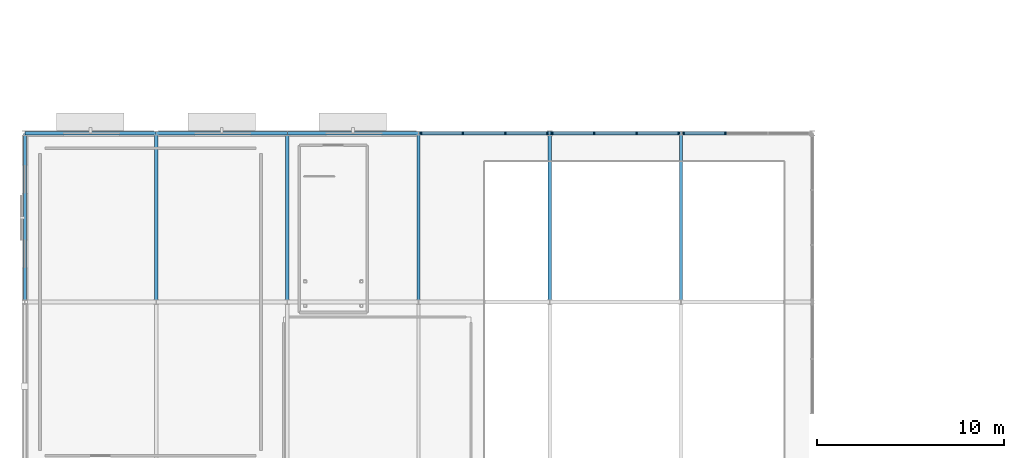
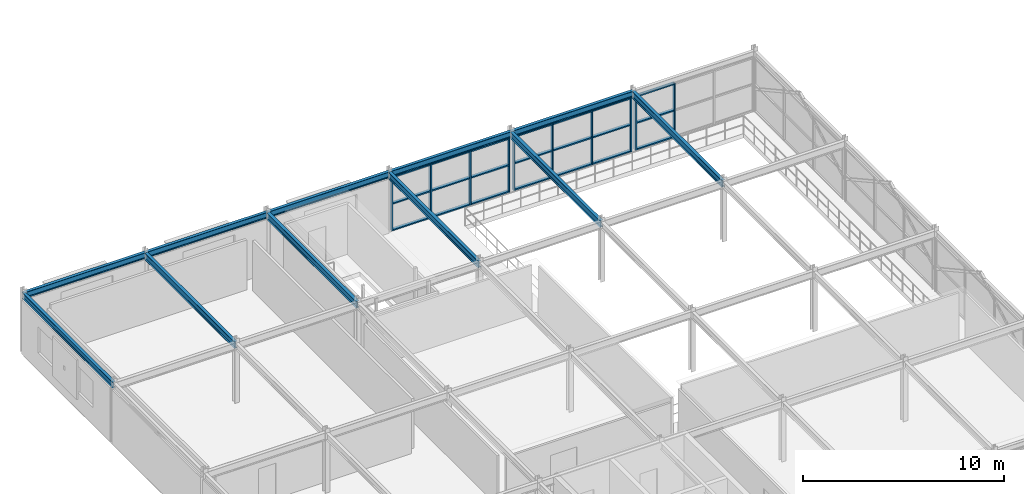
# One storey, part 51 of 98: 31 members, 11 beams, 3 elements without a shape of their own.
"""IFC4 building model written with IfcOpenShell, lengths in metres."""

from ifc_helpers import new_model, si_unit, derived_unit, direction, frame, origin, origin_2d_with_axis, place, context, subcontext, project, spatial, rectangle, i_section, extrude, material, material_profile, profile_set, type_object, element, aggregate, save


model = new_model("IFC4")

# Units and contexts
model_context = context("Model", 3, precision=1e-05, world=origin(), true_north=direction((0.0, 1.0)))
body_context = subcontext(model_context, "Body", "Model", "MODEL_VIEW")
ifc_project = project(units=[si_unit("LENGTHUNIT", "METRE"), si_unit("AREAUNIT", "SQUARE_METRE"), si_unit("VOLUMEUNIT", "CUBIC_METRE"), si_unit("PLANEANGLEUNIT", "RADIAN"), si_unit("MASSUNIT", "GRAM", prefix="KILO"), derived_unit("THERMALTRANSMITTANCEUNIT", [(si_unit("POWERUNIT", "WATT"), 1), (si_unit("LENGTHUNIT", "METRE"), -2), (si_unit("THERMODYNAMICTEMPERATUREUNIT", "KELVIN"), -1)])], contexts=[model_context])

# Site, building, storey
site_placement = place(None, origin())
site = spatial("IfcSite", under=ifc_project, at=site_placement, CompositionType="ELEMENT")
building_placement = place(site_placement, origin())
building = spatial("IfcBuilding", under=site, at=building_placement, Name="Cinnabar Yard Market Hall", CompositionType="ELEMENT")
storey_placement = place(building_placement, frame((0.0, 0.0, 4.5)))
storey = spatial("IfcBuildingStorey", under=building, at=storey_placement, Name="L01", CompositionType="ELEMENT", Elevation=4.5)

# Beams
ifc_material_1 = material(Name="Steel Grade 300 (300 MPa)", Category="steel")
ifc_material_profile_1 = material_profile(ifc_material_1, i_section(OverallWidth=0.177978515625, OverallDepth=0.406494140625, WebThickness=0.0078125, FlangeThickness=0.0126953125, FilletRadius=0.011474609375, at=origin_2d_with_axis()), Name="410UB59.7")
ifc_profile_set_1 = profile_set([ifc_material_profile_1], Name="Steel Grade 300 (300 MPa)")
beam_type_1 = type_object("IfcBeamType", Name="BM-B06", PredefinedType="BEAM", material=ifc_profile_set_1)
for number, where, z_axis, x_axis, name in (
    (1, (17.0, 75.0, 3.44677734375), (0.0, 1.0, 0.0), (-1.0, 0.0, 0.0), "V2 L01 Girder Y 00744"),
    (2, (24.0, 75.0, 3.44677734375), (0.0, 1.0, 0.0), (-1.0, 0.0, 0.0), "V2 L01 Girder Y 00748"),
    (3, (31.0, 75.0, 3.44677734375), (0.0, 1.0, 0.0), (-1.0, 0.0, 0.0), "V2 L01 Girder Y 00752"),
    (4, (38.0, 75.0, 3.44677734375), (0.0, 1.0, 0.0), (-1.0, 0.0, 0.0), "V2 L01 Girder Y 00756"),
    (5, (45.0, 75.0, 3.44677734375), (0.0, 1.0, 0.0), (-1.0, 0.0, 0.0), "V2 L01 Girder Y 00760"),
):
    element("IfcBeam", number, at=place(storey_placement, frame(where, z_axis=z_axis, x_axis=x_axis)), inside=storey, type_object=beam_type_1, Name=name, PredefinedType="BEAM", context=body_context, shape_type="SweptSolid", body=[
        extrude(i_section(OverallWidth=0.177978515625, OverallDepth=0.406494140625, WebThickness=0.0078125, FlangeThickness=0.0126953125, FilletRadius=0.011474609375, at=origin_2d_with_axis()), origin(), (0.0, 0.0, 1.0), 9.0),
    ])
ifc_material_profile_2 = material_profile(ifc_material_1, i_section(OverallWidth=0.172119140625, OverallDepth=0.358642578125, WebThickness=0.008056640625, FlangeThickness=0.012939453125, FilletRadius=0.011474609375, at=origin_2d_with_axis()), Name="360UB56.7")
ifc_profile_set_2 = profile_set([ifc_material_profile_2], Name="Steel Grade 300 (300 MPa)")
beam_type_2 = type_object("IfcBeamType", Name="BM-SP02E", PredefinedType="SPANDREL", material=ifc_profile_set_2)
for number, where, z_axis, x_axis, name in (
    (6, (10.0, 84.0, 3.470703125), (1.0, 0.0, 0.0), (0.0, 1.0, 0.0), "V2 L01 Girder X 00711"),
    (7, (17.0, 84.0, 3.470703125), (1.0, 0.0, 0.0), (0.0, 1.0, 0.0), "V2 L01 Girder X 00716"),
    (8, (24.0, 84.0, 3.470703125), (1.0, 0.0, 0.0), (0.0, 1.0, 0.0), "V2 L01 Girder X 00721"),
    (9, (31.0, 84.0, 3.470703125), (1.0, 0.0, 0.0), (0.0, 1.0, 0.0), "V2 L01 Girder X 00726"),
    (10, (38.0, 84.0, 3.470703125), (1.0, 0.0, 0.0), (0.0, 1.0, 0.0), "V2 L01 Girder X 00731"),
):
    element("IfcBeam", number, at=place(storey_placement, frame(where, z_axis=z_axis, x_axis=x_axis)), inside=storey, type_object=beam_type_2, Name=name, PredefinedType="SPANDREL", context=body_context, shape_type="SweptSolid", body=[
        extrude(i_section(OverallWidth=0.172119140625, OverallDepth=0.358642578125, WebThickness=0.008056640625, FlangeThickness=0.012939453125, FilletRadius=0.011474609375, at=origin_2d_with_axis()), origin(), (0.0, 0.0, 1.0), 7.0),
    ])
beam_placement = place(storey_placement, frame((10.0, 75.0, 3.470703125), z_axis=(0.0, 1.0, 0.0), x_axis=(-1.0, 0.0, 0.0)))
element("IfcBeam", 11, at=beam_placement, inside=storey, type_object=beam_type_2, Name="V2 L01 Girder Y 00740", PredefinedType="SPANDREL", context=body_context, shape_type="SweptSolid", body=[
    extrude(i_section(OverallWidth=0.172119140625, OverallDepth=0.358642578125, WebThickness=0.008056640625, FlangeThickness=0.012939453125, FilletRadius=0.011474609375, at=origin_2d_with_axis()), origin(), (0.0, 0.0, 1.0), 9.0),
])

# Curtain wall, members
ifc_material_2 = material(Name="Anodised bronze aluminium courtyard facade", Category="aluminium")
curtain_wall_type = type_object("IfcCurtainWallType", Name="CW-CWF068x33", PredefinedType="NOTDEFINED", material=ifc_material_2)
curtain_wall_1_placement = place(storey_placement, origin())
curtain_wall_1 = element("IfcCurtainWall", 12, at=curtain_wall_1_placement, inside=storey, type_object=curtain_wall_type, Name="Pavilion North Glazed Arcade L01 Bay 4", PredefinedType="NOTDEFINED")
ifc_material_3 = material(Name="Anodised bronze aluminium", Category="aluminium")
ifc_material_profile_3 = material_profile(ifc_material_3, rectangle(XDim=0.179931640625, YDim=0.074951171875, at=origin_2d_with_axis()), Name="MUL-CWF")
ifc_profile_set_3 = profile_set([ifc_material_profile_3], Name="Anodised bronze aluminium")
member_type_1 = type_object("IfcMemberType", Name="CWM-CWF", PredefinedType="MULLION", material=ifc_profile_set_3)
member_1_placement = place(storey_placement, frame((37.862548828125, 84.0, 0.0), z_axis=(0.0, 0.0, 1.0), x_axis=(0.0, -1.0, 0.0)))
member_1 = element("IfcMember", 13, at=member_1_placement, type_object=member_type_1, Name="CWF068x33 mullion 1", PredefinedType="MULLION", context=body_context, shape_type="SweptSolid", body=[
    extrude(rectangle(XDim=0.179931640625, YDim=0.074951171875, at=origin_2d_with_axis()), origin(), (0.0, 0.0, 1.0), 3.2900390625),
])
member_2_placement = place(storey_placement, frame((35.63330078125, 84.0, 0.0), z_axis=(0.0, 0.0, 1.0), x_axis=(0.0, -1.0, 0.0)))
member_2 = element("IfcMember", 14, at=member_2_placement, type_object=member_type_1, Name="CWF068x33 mullion 2", PredefinedType="MULLION", context=body_context, shape_type="SweptSolid", body=[
    extrude(rectangle(XDim=0.179931640625, YDim=0.074951171875, at=origin_2d_with_axis()), origin(), (0.0, 0.0, 1.0), 3.2900390625),
])
member_3_placement = place(storey_placement, frame((33.36669921875, 84.0, 0.0), z_axis=(0.0, 0.0, 1.0), x_axis=(0.0, -1.0, 0.0)))
member_3 = element("IfcMember", 15, at=member_3_placement, type_object=member_type_1, Name="CWF068x33 mullion 3", PredefinedType="MULLION", context=body_context, shape_type="SweptSolid", body=[
    extrude(rectangle(XDim=0.179931640625, YDim=0.074951171875, at=origin_2d_with_axis()), origin(), (0.0, 0.0, 1.0), 3.2900390625),
])
member_4_placement = place(storey_placement, frame((31.137451171875, 84.0, 0.0), z_axis=(0.0, 0.0, 1.0), x_axis=(0.0, -1.0, 0.0)))
member_4 = element("IfcMember", 16, at=member_4_placement, type_object=member_type_1, Name="CWF068x33 mullion 4", PredefinedType="MULLION", context=body_context, shape_type="SweptSolid", body=[
    extrude(rectangle(XDim=0.179931640625, YDim=0.074951171875, at=origin_2d_with_axis()), origin(), (0.0, 0.0, 1.0), 3.2900390625),
])

curtain_wall_2_placement = place(storey_placement, origin())
curtain_wall_2 = element("IfcCurtainWall", 17, at=curtain_wall_2_placement, inside=storey, type_object=curtain_wall_type, Name="Pavilion North Glazed Arcade L01 Bay 5", PredefinedType="NOTDEFINED")
member_5_placement = place(storey_placement, frame((44.862548828125, 84.0, 0.0), z_axis=(0.0, 0.0, 1.0), x_axis=(0.0, -1.0, 0.0)))
member_5 = element("IfcMember", 18, at=member_5_placement, type_object=member_type_1, Name="CWF068x33 mullion 1", PredefinedType="MULLION", context=body_context, shape_type="SweptSolid", body=[
    extrude(rectangle(XDim=0.179931640625, YDim=0.074951171875, at=origin_2d_with_axis()), origin(), (0.0, 0.0, 1.0), 3.2900390625),
])
member_6_placement = place(storey_placement, frame((42.63330078125, 84.0, 0.0), z_axis=(0.0, 0.0, 1.0), x_axis=(0.0, -1.0, 0.0)))
member_6 = element("IfcMember", 19, at=member_6_placement, type_object=member_type_1, Name="CWF068x33 mullion 2", PredefinedType="MULLION", context=body_context, shape_type="SweptSolid", body=[
    extrude(rectangle(XDim=0.179931640625, YDim=0.074951171875, at=origin_2d_with_axis()), origin(), (0.0, 0.0, 1.0), 3.2900390625),
])
member_7_placement = place(storey_placement, frame((40.36669921875, 84.0, 0.0), z_axis=(0.0, 0.0, 1.0), x_axis=(0.0, -1.0, 0.0)))
member_7 = element("IfcMember", 20, at=member_7_placement, type_object=member_type_1, Name="CWF068x33 mullion 3", PredefinedType="MULLION", context=body_context, shape_type="SweptSolid", body=[
    extrude(rectangle(XDim=0.179931640625, YDim=0.074951171875, at=origin_2d_with_axis()), origin(), (0.0, 0.0, 1.0), 3.2900390625),
])
member_8_placement = place(storey_placement, frame((38.137451171875, 84.0, 0.0), z_axis=(0.0, 0.0, 1.0), x_axis=(0.0, -1.0, 0.0)))
member_8 = element("IfcMember", 21, at=member_8_placement, type_object=member_type_1, Name="CWF068x33 mullion 4", PredefinedType="MULLION", context=body_context, shape_type="SweptSolid", body=[
    extrude(rectangle(XDim=0.179931640625, YDim=0.074951171875, at=origin_2d_with_axis()), origin(), (0.0, 0.0, 1.0), 3.2900390625),
])

curtain_wall_3_placement = place(storey_placement, origin())
curtain_wall_3 = element("IfcCurtainWall", 22, at=curtain_wall_3_placement, inside=storey, type_object=curtain_wall_type, Name="Pavilion North Glazed Arcade L01 Bay 6", PredefinedType="NOTDEFINED")
member_9_placement = place(storey_placement, frame((47.36669921875, 84.0, 0.0), z_axis=(0.0, 0.0, 1.0), x_axis=(0.0, -1.0, 0.0)))
member_9 = element("IfcMember", 23, at=member_9_placement, type_object=member_type_1, Name="CWF068x33 mullion 3", PredefinedType="MULLION", context=body_context, shape_type="SweptSolid", body=[
    extrude(rectangle(XDim=0.179931640625, YDim=0.074951171875, at=origin_2d_with_axis()), origin(), (0.0, 0.0, 1.0), 3.2900390625),
])
member_10_placement = place(storey_placement, frame((45.137451171875, 84.0, 0.0), z_axis=(0.0, 0.0, 1.0), x_axis=(0.0, -1.0, 0.0)))
member_10 = element("IfcMember", 24, at=member_10_placement, type_object=member_type_1, Name="CWF068x33 mullion 4", PredefinedType="MULLION", context=body_context, shape_type="SweptSolid", body=[
    extrude(rectangle(XDim=0.179931640625, YDim=0.074951171875, at=origin_2d_with_axis()), origin(), (0.0, 0.0, 1.0), 3.2900390625),
])

# Member
ifc_material_profile_4 = material_profile(ifc_material_3, rectangle(XDim=0.179931640625, YDim=0.074951171875, at=origin_2d_with_axis()), Name="TRN-CWF")
ifc_profile_set_4 = profile_set([ifc_material_profile_4], Name="Anodised bronze aluminium")
member_type_2 = type_object("IfcMemberType", Name="CWT-CWF", PredefinedType="USERDEFINED", material=ifc_profile_set_4)
member_11_placement = place(storey_placement, frame((37.824951171875, 84.0, 0.03759765625), z_axis=(-1.0, 0.0, 0.0), x_axis=(0.0, -1.0, 0.0)))
member_11 = element("IfcMember", 25, at=member_11_placement, type_object=member_type_2, Name="CWF068x33 transom 1.1", ObjectType="TRANSOM", PredefinedType="USERDEFINED", context=body_context, shape_type="SweptSolid", body=[
    extrude(rectangle(XDim=0.179931640625, YDim=0.074951171875, at=origin_2d_with_axis()), origin(), (0.0, 0.0, 1.0), 2.154052734375),
])

member_12_placement = place(storey_placement, frame((37.824951171875, 84.0, 1.64501953125), z_axis=(-1.0, 0.0, 0.0), x_axis=(0.0, -1.0, 0.0)))
member_12 = element("IfcMember", 26, at=member_12_placement, type_object=member_type_2, Name="CWF068x33 transom 1.2", ObjectType="TRANSOM", PredefinedType="USERDEFINED", context=body_context, shape_type="SweptSolid", body=[
    extrude(rectangle(XDim=0.179931640625, YDim=0.074951171875, at=origin_2d_with_axis()), origin(), (0.0, 0.0, 1.0), 2.154052734375),
])

member_13_placement = place(storey_placement, frame((37.824951171875, 84.0, 3.25244140625), z_axis=(-1.0, 0.0, 0.0), x_axis=(0.0, -1.0, 0.0)))
member_13 = element("IfcMember", 27, at=member_13_placement, type_object=member_type_2, Name="CWF068x33 transom 1.3", ObjectType="TRANSOM", PredefinedType="USERDEFINED", context=body_context, shape_type="SweptSolid", body=[
    extrude(rectangle(XDim=0.179931640625, YDim=0.074951171875, at=origin_2d_with_axis()), origin(), (0.0, 0.0, 1.0), 2.154052734375),
])

member_14_placement = place(storey_placement, frame((35.595947265625, 84.0, 0.03759765625), z_axis=(-1.0, 0.0, 0.0), x_axis=(0.0, -1.0, 0.0)))
member_14 = element("IfcMember", 28, at=member_14_placement, type_object=member_type_2, Name="CWF068x33 transom 2.1", ObjectType="TRANSOM", PredefinedType="USERDEFINED", context=body_context, shape_type="SweptSolid", body=[
    extrude(rectangle(XDim=0.179931640625, YDim=0.074951171875, at=origin_2d_with_axis()), origin(), (0.0, 0.0, 1.0), 2.19189453125),
])

member_15_placement = place(storey_placement, frame((35.595947265625, 84.0, 1.64501953125), z_axis=(-1.0, 0.0, 0.0), x_axis=(0.0, -1.0, 0.0)))
member_15 = element("IfcMember", 29, at=member_15_placement, type_object=member_type_2, Name="CWF068x33 transom 2.2", ObjectType="TRANSOM", PredefinedType="USERDEFINED", context=body_context, shape_type="SweptSolid", body=[
    extrude(rectangle(XDim=0.179931640625, YDim=0.074951171875, at=origin_2d_with_axis()), origin(), (0.0, 0.0, 1.0), 2.19189453125),
])

member_16_placement = place(storey_placement, frame((35.595947265625, 84.0, 3.25244140625), z_axis=(-1.0, 0.0, 0.0), x_axis=(0.0, -1.0, 0.0)))
member_16 = element("IfcMember", 30, at=member_16_placement, type_object=member_type_2, Name="CWF068x33 transom 2.3", ObjectType="TRANSOM", PredefinedType="USERDEFINED", context=body_context, shape_type="SweptSolid", body=[
    extrude(rectangle(XDim=0.179931640625, YDim=0.074951171875, at=origin_2d_with_axis()), origin(), (0.0, 0.0, 1.0), 2.19189453125),
])

member_17_placement = place(storey_placement, frame((33.3291015625, 84.0, 0.03759765625), z_axis=(-1.0, 0.0, 0.0), x_axis=(0.0, -1.0, 0.0)))
member_17 = element("IfcMember", 31, at=member_17_placement, type_object=member_type_2, Name="CWF068x33 transom 3.1", ObjectType="TRANSOM", PredefinedType="USERDEFINED", context=body_context, shape_type="SweptSolid", body=[
    extrude(rectangle(XDim=0.179931640625, YDim=0.074951171875, at=origin_2d_with_axis()), origin(), (0.0, 0.0, 1.0), 2.154052734375),
])

member_18_placement = place(storey_placement, frame((33.3291015625, 84.0, 1.64501953125), z_axis=(-1.0, 0.0, 0.0), x_axis=(0.0, -1.0, 0.0)))
member_18 = element("IfcMember", 32, at=member_18_placement, type_object=member_type_2, Name="CWF068x33 transom 3.2", ObjectType="TRANSOM", PredefinedType="USERDEFINED", context=body_context, shape_type="SweptSolid", body=[
    extrude(rectangle(XDim=0.179931640625, YDim=0.074951171875, at=origin_2d_with_axis()), origin(), (0.0, 0.0, 1.0), 2.154052734375),
])

member_19_placement = place(storey_placement, frame((33.3291015625, 84.0, 3.25244140625), z_axis=(-1.0, 0.0, 0.0), x_axis=(0.0, -1.0, 0.0)))
member_19 = element("IfcMember", 33, at=member_19_placement, type_object=member_type_2, Name="CWF068x33 transom 3.3", ObjectType="TRANSOM", PredefinedType="USERDEFINED", context=body_context, shape_type="SweptSolid", body=[
    extrude(rectangle(XDim=0.179931640625, YDim=0.074951171875, at=origin_2d_with_axis()), origin(), (0.0, 0.0, 1.0), 2.154052734375),
])

aggregate(curtain_wall_1, [member_1, member_2, member_3, member_4, member_11, member_12, member_13, member_14, member_15, member_16, member_17, member_18, member_19])

member_20_placement = place(storey_placement, frame((44.824951171875, 84.0, 0.03759765625), z_axis=(-1.0, 0.0, 0.0), x_axis=(0.0, -1.0, 0.0)))
member_20 = element("IfcMember", 34, at=member_20_placement, type_object=member_type_2, Name="CWF068x33 transom 1.1", ObjectType="TRANSOM", PredefinedType="USERDEFINED", context=body_context, shape_type="SweptSolid", body=[
    extrude(rectangle(XDim=0.179931640625, YDim=0.074951171875, at=origin_2d_with_axis()), origin(), (0.0, 0.0, 1.0), 2.154052734375),
])

member_21_placement = place(storey_placement, frame((44.824951171875, 84.0, 1.64501953125), z_axis=(-1.0, 0.0, 0.0), x_axis=(0.0, -1.0, 0.0)))
member_21 = element("IfcMember", 35, at=member_21_placement, type_object=member_type_2, Name="CWF068x33 transom 1.2", ObjectType="TRANSOM", PredefinedType="USERDEFINED", context=body_context, shape_type="SweptSolid", body=[
    extrude(rectangle(XDim=0.179931640625, YDim=0.074951171875, at=origin_2d_with_axis()), origin(), (0.0, 0.0, 1.0), 2.154052734375),
])

member_22_placement = place(storey_placement, frame((44.824951171875, 84.0, 3.25244140625), z_axis=(-1.0, 0.0, 0.0), x_axis=(0.0, -1.0, 0.0)))
member_22 = element("IfcMember", 36, at=member_22_placement, type_object=member_type_2, Name="CWF068x33 transom 1.3", ObjectType="TRANSOM", PredefinedType="USERDEFINED", context=body_context, shape_type="SweptSolid", body=[
    extrude(rectangle(XDim=0.179931640625, YDim=0.074951171875, at=origin_2d_with_axis()), origin(), (0.0, 0.0, 1.0), 2.154052734375),
])

member_23_placement = place(storey_placement, frame((42.595947265625, 84.0, 0.03759765625), z_axis=(-1.0, 0.0, 0.0), x_axis=(0.0, -1.0, 0.0)))
member_23 = element("IfcMember", 37, at=member_23_placement, type_object=member_type_2, Name="CWF068x33 transom 2.1", ObjectType="TRANSOM", PredefinedType="USERDEFINED", context=body_context, shape_type="SweptSolid", body=[
    extrude(rectangle(XDim=0.179931640625, YDim=0.074951171875, at=origin_2d_with_axis()), origin(), (0.0, 0.0, 1.0), 2.19189453125),
])

member_24_placement = place(storey_placement, frame((42.595947265625, 84.0, 1.64501953125), z_axis=(-1.0, 0.0, 0.0), x_axis=(0.0, -1.0, 0.0)))
member_24 = element("IfcMember", 38, at=member_24_placement, type_object=member_type_2, Name="CWF068x33 transom 2.2", ObjectType="TRANSOM", PredefinedType="USERDEFINED", context=body_context, shape_type="SweptSolid", body=[
    extrude(rectangle(XDim=0.179931640625, YDim=0.074951171875, at=origin_2d_with_axis()), origin(), (0.0, 0.0, 1.0), 2.19189453125),
])

member_25_placement = place(storey_placement, frame((42.595947265625, 84.0, 3.25244140625), z_axis=(-1.0, 0.0, 0.0), x_axis=(0.0, -1.0, 0.0)))
member_25 = element("IfcMember", 39, at=member_25_placement, type_object=member_type_2, Name="CWF068x33 transom 2.3", ObjectType="TRANSOM", PredefinedType="USERDEFINED", context=body_context, shape_type="SweptSolid", body=[
    extrude(rectangle(XDim=0.179931640625, YDim=0.074951171875, at=origin_2d_with_axis()), origin(), (0.0, 0.0, 1.0), 2.19189453125),
])

member_26_placement = place(storey_placement, frame((40.3291015625, 84.0, 0.03759765625), z_axis=(-1.0, 0.0, 0.0), x_axis=(0.0, -1.0, 0.0)))
member_26 = element("IfcMember", 40, at=member_26_placement, type_object=member_type_2, Name="CWF068x33 transom 3.1", ObjectType="TRANSOM", PredefinedType="USERDEFINED", context=body_context, shape_type="SweptSolid", body=[
    extrude(rectangle(XDim=0.179931640625, YDim=0.074951171875, at=origin_2d_with_axis()), origin(), (0.0, 0.0, 1.0), 2.154052734375),
])

member_27_placement = place(storey_placement, frame((40.3291015625, 84.0, 1.64501953125), z_axis=(-1.0, 0.0, 0.0), x_axis=(0.0, -1.0, 0.0)))
member_27 = element("IfcMember", 41, at=member_27_placement, type_object=member_type_2, Name="CWF068x33 transom 3.2", ObjectType="TRANSOM", PredefinedType="USERDEFINED", context=body_context, shape_type="SweptSolid", body=[
    extrude(rectangle(XDim=0.179931640625, YDim=0.074951171875, at=origin_2d_with_axis()), origin(), (0.0, 0.0, 1.0), 2.154052734375),
])

member_28_placement = place(storey_placement, frame((40.3291015625, 84.0, 3.25244140625), z_axis=(-1.0, 0.0, 0.0), x_axis=(0.0, -1.0, 0.0)))
member_28 = element("IfcMember", 42, at=member_28_placement, type_object=member_type_2, Name="CWF068x33 transom 3.3", ObjectType="TRANSOM", PredefinedType="USERDEFINED", context=body_context, shape_type="SweptSolid", body=[
    extrude(rectangle(XDim=0.179931640625, YDim=0.074951171875, at=origin_2d_with_axis()), origin(), (0.0, 0.0, 1.0), 2.154052734375),
])

aggregate(curtain_wall_2, [member_5, member_6, member_7, member_8, member_20, member_21, member_22, member_23, member_24, member_25, member_26, member_27, member_28])

member_29_placement = place(storey_placement, frame((47.3291015625, 84.0, 0.03759765625), z_axis=(-1.0, 0.0, 0.0), x_axis=(0.0, -1.0, 0.0)))
member_29 = element("IfcMember", 43, at=member_29_placement, type_object=member_type_2, Name="CWF068x33 transom 3.1", ObjectType="TRANSOM", PredefinedType="USERDEFINED", context=body_context, shape_type="SweptSolid", body=[
    extrude(rectangle(XDim=0.179931640625, YDim=0.074951171875, at=origin_2d_with_axis()), origin(), (0.0, 0.0, 1.0), 2.154052734375),
])

member_30_placement = place(storey_placement, frame((47.3291015625, 84.0, 1.64501953125), z_axis=(-1.0, 0.0, 0.0), x_axis=(0.0, -1.0, 0.0)))
member_30 = element("IfcMember", 44, at=member_30_placement, type_object=member_type_2, Name="CWF068x33 transom 3.2", ObjectType="TRANSOM", PredefinedType="USERDEFINED", context=body_context, shape_type="SweptSolid", body=[
    extrude(rectangle(XDim=0.179931640625, YDim=0.074951171875, at=origin_2d_with_axis()), origin(), (0.0, 0.0, 1.0), 2.154052734375),
])

member_31_placement = place(storey_placement, frame((47.3291015625, 84.0, 3.25244140625), z_axis=(-1.0, 0.0, 0.0), x_axis=(0.0, -1.0, 0.0)))
member_31 = element("IfcMember", 45, at=member_31_placement, type_object=member_type_2, Name="CWF068x33 transom 3.3", ObjectType="TRANSOM", PredefinedType="USERDEFINED", context=body_context, shape_type="SweptSolid", body=[
    extrude(rectangle(XDim=0.179931640625, YDim=0.074951171875, at=origin_2d_with_axis()), origin(), (0.0, 0.0, 1.0), 2.154052734375),
])

aggregate(curtain_wall_3, [member_9, member_10, member_29, member_30, member_31])

save(model, "model.ifc")
